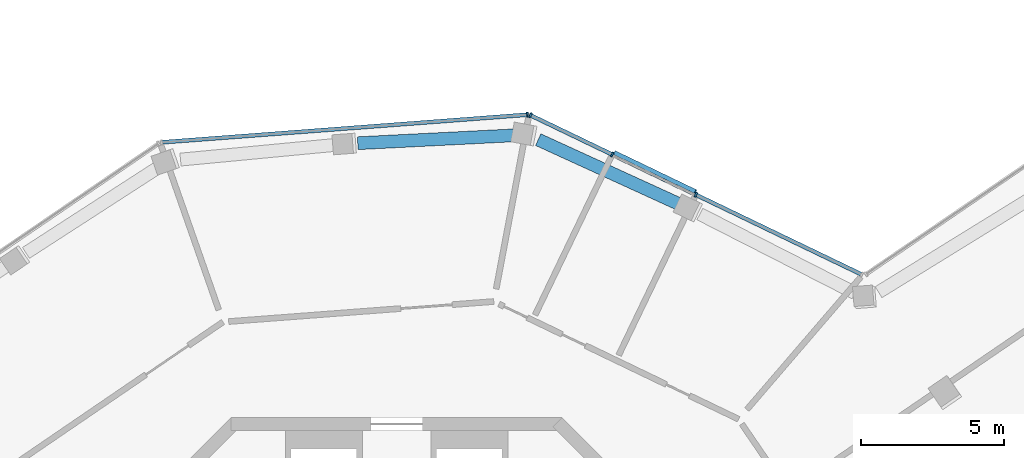
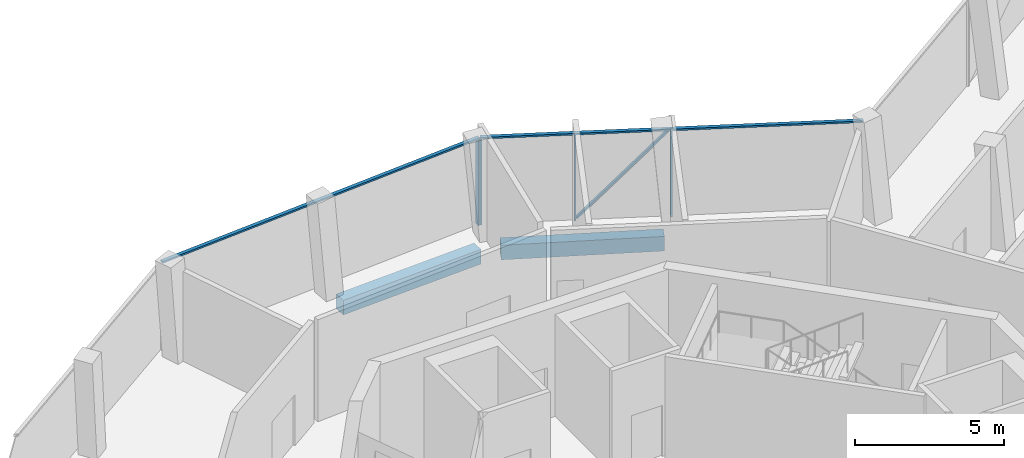
# One storey, part 7 of 19: 7 members, 2 beams, 2 elements without a shape of their own.
"""IFC4 building model written with IfcOpenShell, lengths in metres."""

from ifc_helpers import new_model, si_unit, direction, frame, origin, origin_2d, place, context, subcontext, project, spatial, rectangle, extrude, material, layer, layer_set, material_profile, profile_set, type_object, element, aggregate, save


model = new_model("IFC4")

# Units and contexts
model_context = context("Model", 3, precision=1e-05, world=origin(), true_north=direction((0.0, 1.0)))
body_context = subcontext(model_context, "Body", "Model", "MODEL_VIEW")
ifc_project = project(units=[si_unit("LENGTHUNIT", "METRE"), si_unit("AREAUNIT", "SQUARE_METRE"), si_unit("VOLUMEUNIT", "CUBIC_METRE"), si_unit("PLANEANGLEUNIT", "RADIAN"), si_unit("MASSUNIT", "GRAM", prefix="KILO")], contexts=[model_context])

# Site, building, storey
site_placement = place(None, origin())
site = spatial("IfcSite", under=ifc_project, at=site_placement, CompositionType="ELEMENT")
building_placement = place(site_placement, origin())
building = spatial("IfcBuilding", under=site, at=building_placement, Name="Verdalira Terraces Hotel", CompositionType="ELEMENT")
storey_placement = place(building_placement, frame((0.0, 0.0, 295.0)))
storey = spatial("IfcBuildingStorey", under=building, at=storey_placement, Name="L73", CompositionType="ELEMENT", Elevation=295.0)

# Curtain wall, members
ifc_material_1 = material(Name="Clear glass", Category="glass")
ifc_layer = layer(ifc_material_1, 0.179931640625)
ifc_layer_set = layer_set([ifc_layer], Name="CW4 curtain wall")
curtain_wall_type = type_object("IfcCurtainWallType", Name="CW4 curtain wall", PredefinedType="NOTDEFINED", material=ifc_layer_set)
curtain_wall_1_placement = place(storey_placement, origin())
curtain_wall_1 = element("IfcCurtainWall", 1, at=curtain_wall_1_placement, inside=storey, type_object=curtain_wall_type, Name="CW4 curtain wall L73 edge 39", PredefinedType="NOTDEFINED")
ifc_material_2 = material(Name="Terracotta frame", Category="masonry")
ifc_material_profile_1 = material_profile(ifc_material_2, rectangle(XDim=0.064941, YDim=0.179932, at=origin_2d()), Name="MU 65x180")
ifc_profile_set_1 = profile_set([ifc_material_profile_1], Name="Terracotta frame")
member_type_1 = type_object("IfcMemberType", Name="CW4 mullion 65x180", PredefinedType="MULLION", material=ifc_profile_set_1)
member_1_placement = place(storey_placement, frame((10.486328, 21.808105, 0.0), z_axis=(0.0, 0.0, 1.0), x_axis=(-0.901228342, 0.433344523, 0.0)))
member_1 = element("IfcMember", 2, at=member_1_placement, type_object=member_type_1, Name="CW4 mullion", PredefinedType="MULLION", context=body_context, shape_type="SweptSolid", body=[
    extrude(rectangle(XDim=0.064941, YDim=0.179932, at=origin_2d()), origin(), (0.0, 0.0, 1.0), 3.52002),
])
member_2_placement = place(storey_placement, frame((7.557129, 23.216553, 0.0), z_axis=(0.0, 0.0, 1.0), x_axis=(-0.901228342, 0.433344523, 0.0)))
member_2 = element("IfcMember", 3, at=member_2_placement, type_object=member_type_1, Name="CW4 mullion", PredefinedType="MULLION", context=body_context, shape_type="SweptSolid", body=[
    extrude(rectangle(XDim=0.064941, YDim=0.179932, at=origin_2d()), origin(), (0.0, 0.0, 1.0), 3.52002),
])
member_3_placement = place(storey_placement, frame((4.693848, 24.593506, 0.0), z_axis=(0.0, 0.0, 1.0), x_axis=(-0.901228342, 0.433344523, 0.0)))
member_3 = element("IfcMember", 4, at=member_3_placement, type_object=member_type_1, Name="CW4 mullion", PredefinedType="MULLION", context=body_context, shape_type="SweptSolid", body=[
    extrude(rectangle(XDim=0.064941, YDim=0.179932, at=origin_2d()), origin(), (0.0, 0.0, 1.0), 3.52002),
])

# Curtain wall, member
curtain_wall_2_placement = place(storey_placement, origin())
curtain_wall_2 = element("IfcCurtainWall", 5, at=curtain_wall_2_placement, inside=storey, type_object=curtain_wall_type, Name="CW4 curtain wall L73 edge 40", PredefinedType="NOTDEFINED")
member_4_placement = place(storey_placement, frame((4.586182, 24.61377, 0.0), z_axis=(0.0, 0.0, 1.0), x_axis=(-0.9971589, -0.075326806, 0.0)))
member_4 = element("IfcMember", 6, at=member_4_placement, type_object=member_type_1, Name="CW4 mullion", PredefinedType="MULLION", context=body_context, shape_type="SweptSolid", body=[
    extrude(rectangle(XDim=0.064941, YDim=0.179932, at=origin_2d()), origin(), (0.0, 0.0, 1.0), 3.52002),
])

# Member
ifc_material_3 = material(Name="Terracotta frame", Category="masonry")
ifc_material_profile_2 = material_profile(ifc_material_3, rectangle(XDim=0.139893, YDim=0.070068, at=origin_2d()), Name="TR 70x140")
ifc_profile_set_2 = profile_set([ifc_material_profile_2], Name="Terracotta frame")
member_type_2 = type_object("IfcMemberType", Name="CW4 transom 70x140", PredefinedType="USERDEFINED", material=ifc_profile_set_2)
member_5_placement = place(storey_placement, frame((16.328613, 18.999023, 3.554932), z_axis=(-0.901232024, 0.433336865, 0.0), x_axis=(-0.433336865, -0.901232024, 0.0)))
member_5 = element("IfcMember", 7, at=member_5_placement, type_object=member_type_2, Name="CW4 transom", ObjectType="TRANSOM", PredefinedType="USERDEFINED", context=body_context, shape_type="SweptSolid", body=[
    extrude(rectangle(XDim=0.139893, YDim=0.070068, at=origin_2d()), origin(), (0.0, 0.0, 1.0), 12.942383),
])

member_6_placement = place(storey_placement, frame((4.618652, 24.616211, 3.554932), z_axis=(-0.997159142, -0.075323612, 0.0), x_axis=(0.075323612, -0.997159142, 0.0)))
member_6 = element("IfcMember", 8, at=member_6_placement, type_object=member_type_2, Name="CW4 transom", ObjectType="TRANSOM", PredefinedType="USERDEFINED", context=body_context, shape_type="SweptSolid", body=[
    extrude(rectangle(XDim=0.139893, YDim=0.070068, at=origin_2d()), origin(), (0.0, 0.0, 1.0), 12.919434),
])

aggregate(curtain_wall_2, [member_4, member_6])

ifc_material_4 = material(Name="Terracotta frame", Category="masonry")
ifc_material_profile_3 = material_profile(ifc_material_4, rectangle(XDim=0.149902, YDim=0.060059, at=origin_2d()), Name="GB 60x150")
ifc_profile_set_3 = profile_set([ifc_material_profile_3], Name="Terracotta frame")
member_type_3 = type_object("IfcMemberType", Name="Diagonal glazing bar 60x150", PredefinedType="USERDEFINED", material=ifc_profile_set_3)
member_7_placement = place(storey_placement, frame((10.476074, 21.91626, 3.493896), z_axis=(-0.604706594, 0.29076448, -0.741475524), x_axis=(-0.433343044, -0.901229053, 0.0)))
member_7 = element("IfcMember", 9, at=member_7_placement, type_object=member_type_3, Name="Diagonal glazing bar", ObjectType="GLAZING BAR", PredefinedType="USERDEFINED", context=body_context, shape_type="SweptSolid", body=[
    extrude(rectangle(XDim=0.149902, YDim=0.060059, at=origin_2d()), origin(), (0.0, 0.0, 1.0), 4.676758),
])

aggregate(curtain_wall_1, [member_1, member_2, member_3, member_5, member_7])

# Beams
ifc_material_5 = material(Name="Concrete C40", Category="concrete")
ifc_material_profile_4 = material_profile(ifc_material_5, rectangle(XDim=0.449951, YDim=0.600098, at=origin_2d()), Name="RC 450X600")
ifc_profile_set_4 = profile_set([ifc_material_profile_4], Name="Concrete C40")
beam_type = type_object("IfcBeamType", Name="Spandrel beam RC 450X600 C40", PredefinedType="SPANDREL", material=ifc_profile_set_4)
beam_1_placement = place(storey_placement, frame((9.984619, 21.441895, -0.610107), z_axis=(-0.909425265, 0.415867391, 0.0), x_axis=(-0.415867391, -0.909425265, 0.0)))
element("IfcBeam", 10, at=beam_1_placement, inside=storey, type_object=beam_type, Name="Spandrel beam B25", PredefinedType="SPANDREL", context=body_context, shape_type="SweptSolid", body=[
    extrude(rectangle(XDim=0.449951, YDim=0.600098, at=origin_2d()), origin(), (0.0, 0.0, 1.0), 5.52124),
])
beam_2_placement = place(storey_placement, frame((4.156006, 23.891113, -0.610107), z_axis=(-0.998736416, -0.050255059, 0.0), x_axis=(0.050255059, -0.998736416, 0.0)))
element("IfcBeam", 11, at=beam_2_placement, inside=storey, type_object=beam_type, Name="Spandrel beam B26", PredefinedType="SPANDREL", context=body_context, shape_type="SweptSolid", body=[
    extrude(rectangle(XDim=0.449951, YDim=0.600098, at=origin_2d()), origin(), (0.0, 0.0, 1.0), 5.523682),
])

save(model, "model.ifc")
